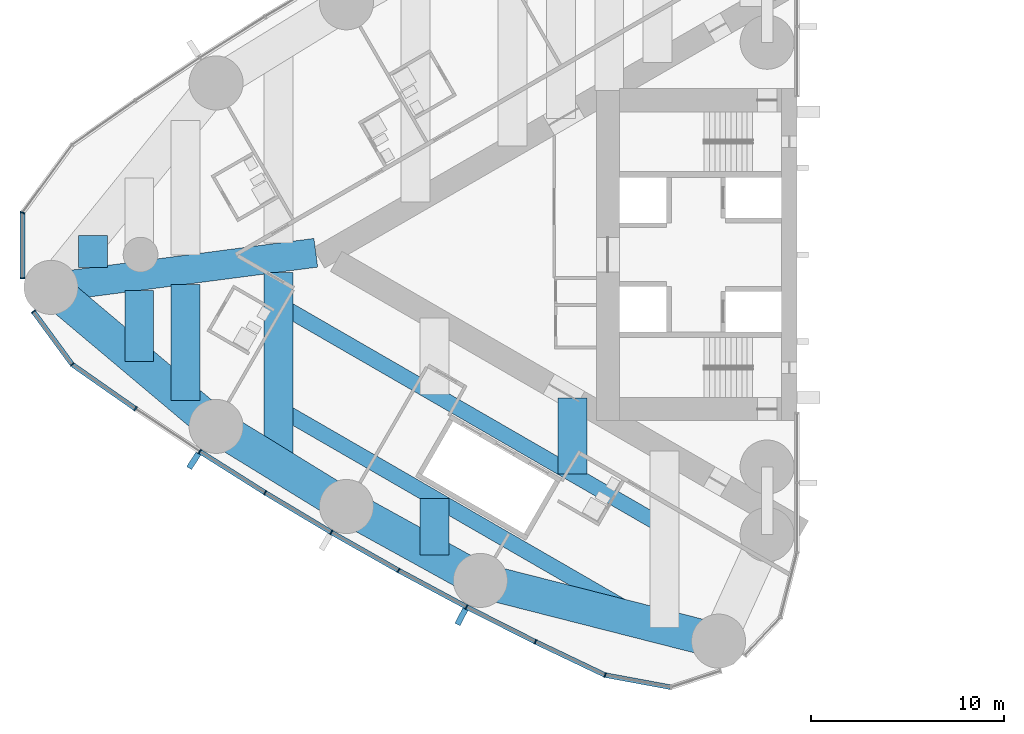
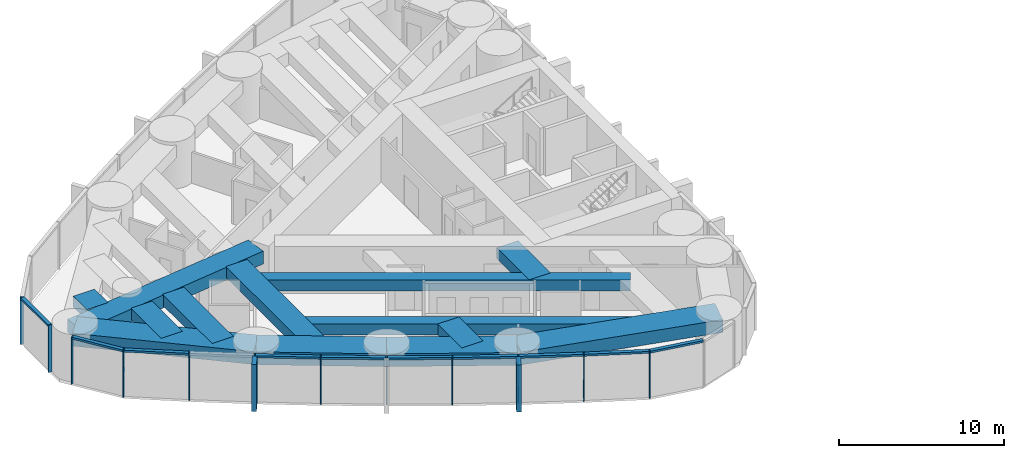
# One storey, part 2 of 19: 24 members, 13 beams, 2 elements without a shape of their own.
"""IFC4 building model written with IfcOpenShell, lengths in metres."""

from ifc_helpers import new_model, si_unit, direction, frame, origin, origin_2d, place, context, subcontext, project, spatial, rectangle, hollow_rectangle, extrude, material, material_profile, profile_set, type_object, element, aggregate, save


model = new_model("IFC4")

# Units and contexts
model_context = context("Model", 3, precision=1e-05, world=origin(), true_north=direction((0.0, 1.0)))
body_context = subcontext(model_context, "Body", "Model", "MODEL_VIEW")
ifc_project = project(units=[si_unit("LENGTHUNIT", "METRE"), si_unit("AREAUNIT", "SQUARE_METRE"), si_unit("VOLUMEUNIT", "CUBIC_METRE"), si_unit("PLANEANGLEUNIT", "RADIAN"), si_unit("MASSUNIT", "GRAM", prefix="KILO")], contexts=[model_context])

# Site, building, storey
site_placement = place(None, origin())
site = spatial("IfcSite", under=ifc_project, at=site_placement, CompositionType="ELEMENT")
building_placement = place(site_placement, origin())
building = spatial("IfcBuilding", under=site, at=building_placement, Name="Lancet Gate Hotel", CompositionType="ELEMENT")
storey_placement = place(building_placement, frame((0.0, 0.0, 177.300048828125)))
storey = spatial("IfcBuildingStorey", under=building, at=storey_placement, Name="L47", CompositionType="ELEMENT", Elevation=177.300048828125)

# Curtain wall, members
ifc_material_1 = material(Name="Aluminium curtain wall", Category="aluminium")
curtain_wall_type = type_object("IfcCurtainWallType", Name="Tower unitised curtain wall", PredefinedType="USERDEFINED", material=ifc_material_1)
curtain_wall_1_placement = place(storey_placement, origin())
curtain_wall_1 = element("IfcCurtainWall", 1, at=curtain_wall_1_placement, inside=storey, type_object=curtain_wall_type, Name="T1 L47 curtain wall 2", ObjectType="UNITISED CURTAIN WALL", PredefinedType="USERDEFINED")
ifc_material_2 = material(Name="Aluminium mullion", Category="aluminium")
ifc_material_profile_1 = material_profile(ifc_material_2, rectangle(XDim=0.06494140625, YDim=0.25, at=origin_2d()), Name="MULLION 65x250")
ifc_profile_set_1 = profile_set([ifc_material_profile_1], Name="Aluminium mullion")
member_type_1 = type_object("IfcMemberType", Name="Aluminium mullion 65x250", PredefinedType="MULLION", material=ifc_profile_set_1)
member_1_placement = place(storey_placement, frame((-67.61572265625, 2.177490234375, 0.0), z_axis=(0.0, 0.0, 1.0), x_axis=(-0.349199411078, -0.937048435943, 0.0)))
member_1 = element("IfcMember", 2, at=member_1_placement, type_object=member_type_1, Name="T1 L47 curtain wall 2 mullion 12", PredefinedType="MULLION", context=body_context, shape_type="SweptSolid", body=[
    extrude(rectangle(XDim=0.06494140625, YDim=0.25, at=origin_2d()), origin(), (0.0, 0.0, 1.0), 3.5),
])
member_2_placement = place(storey_placement, frame((-67.61572265625, -1.220458984375, 0.0), z_axis=(0.0, 0.0, 1.0), x_axis=(0.0, -1.0, 0.0)))
member_2 = element("IfcMember", 3, at=member_2_placement, type_object=member_type_1, Name="T1 L47 curtain wall 2 mullion 13", PredefinedType="MULLION", context=body_context, shape_type="SweptSolid", body=[
    extrude(rectangle(XDim=0.06494140625, YDim=0.25, at=origin_2d()), origin(), (0.0, 0.0, 1.0), 3.5),
])

curtain_wall_2_placement = place(storey_placement, origin())
curtain_wall_2 = element("IfcCurtainWall", 4, at=curtain_wall_2_placement, inside=storey, type_object=curtain_wall_type, Name="T1 L47 curtain wall 3", ObjectType="UNITISED CURTAIN WALL", PredefinedType="USERDEFINED")
member_3_placement = place(storey_placement, frame((-67.05029296875, -2.948486328125, 0.0), z_axis=(0.0, 0.0, 1.0), x_axis=(0.591299785592, -0.806451835858, 0.0)))
member_3 = element("IfcMember", 5, at=member_3_placement, type_object=member_type_1, Name="T1 L47 curtain wall 3 mullion 1", PredefinedType="MULLION", context=body_context, shape_type="SweptSolid", body=[
    extrude(rectangle(XDim=0.06494140625, YDim=0.25, at=origin_2d()), origin(), (0.0, 0.0, 1.0), 3.5),
])
member_4_placement = place(storey_placement, frame((-65.040283203125, -5.68994140625, 0.0), z_axis=(0.0, 0.0, 1.0), x_axis=(0.724381882759, -0.689398932354, 0.0)))
member_4 = element("IfcMember", 6, at=member_4_placement, type_object=member_type_1, Name="T1 L47 curtain wall 3 mullion 2", PredefinedType="MULLION", context=body_context, shape_type="SweptSolid", body=[
    extrude(rectangle(XDim=0.06494140625, YDim=0.25, at=origin_2d()), origin(), (0.0, 0.0, 1.0), 3.5),
])
member_5_placement = place(storey_placement, frame((-61.7626953125, -7.980712890625, 0.0), z_axis=(0.0, 0.0, 1.0), x_axis=(0.826312172542, -0.563212387568, 0.0)))
member_5 = element("IfcMember", 7, at=member_5_placement, type_object=member_type_1, Name="T1 L47 curtain wall 3 mullion 3", PredefinedType="MULLION", context=body_context, shape_type="SweptSolid", body=[
    extrude(rectangle(XDim=0.06494140625, YDim=0.25, at=origin_2d()), origin(), (0.0, 0.0, 1.0), 3.5),
])
member_6_placement = place(storey_placement, frame((-58.43212890625, -10.194091796875, 0.0), z_axis=(0.0, 0.0, 1.0), x_axis=(0.839331119324, -0.54362052218, 0.0)))
member_6 = element("IfcMember", 8, at=member_6_placement, type_object=member_type_1, Name="T1 L47 curtain wall 3 mullion 4", PredefinedType="MULLION", context=body_context, shape_type="SweptSolid", body=[
    extrude(rectangle(XDim=0.06494140625, YDim=0.25, at=origin_2d()), origin(), (0.0, 0.0, 1.0), 3.5),
])
member_7_placement = place(storey_placement, frame((-55.05029296875, -12.328369140625, 0.0), z_axis=(0.0, 0.0, 1.0), x_axis=(0.851885635531, -0.52372785297, 0.0)))
member_7 = element("IfcMember", 9, at=member_7_placement, type_object=member_type_1, Name="T1 L47 curtain wall 3 mullion 5", PredefinedType="MULLION", context=body_context, shape_type="SweptSolid", body=[
    extrude(rectangle(XDim=0.06494140625, YDim=0.25, at=origin_2d()), origin(), (0.0, 0.0, 1.0), 3.5),
])
member_8_placement = place(storey_placement, frame((-51.619384765625, -14.38232421875, 0.0), z_axis=(0.0, 0.0, 1.0), x_axis=(0.863968774311, -0.503545387245, 0.0)))
member_8 = element("IfcMember", 10, at=member_8_placement, type_object=member_type_1, Name="T1 L47 curtain wall 3 mullion 6", PredefinedType="MULLION", context=body_context, shape_type="SweptSolid", body=[
    extrude(rectangle(XDim=0.06494140625, YDim=0.25, at=origin_2d()), origin(), (0.0, 0.0, 1.0), 3.5),
])
member_9_placement = place(storey_placement, frame((-48.140869140625, -16.355224609375, 0.0), z_axis=(0.0, 0.0, 1.0), x_axis=(0.87557384965, -0.483084292654, 0.0)))
member_9 = element("IfcMember", 11, at=member_9_placement, type_object=member_type_1, Name="T1 L47 curtain wall 3 mullion 7", PredefinedType="MULLION", context=body_context, shape_type="SweptSolid", body=[
    extrude(rectangle(XDim=0.06494140625, YDim=0.25, at=origin_2d()), origin(), (0.0, 0.0, 1.0), 3.5),
])
member_10_placement = place(storey_placement, frame((-44.6171875, -18.245849609375, 0.0), z_axis=(0.0, 0.0, 1.0), x_axis=(0.886694440064, -0.462355891019, 0.0)))
member_10 = element("IfcMember", 12, at=member_10_placement, type_object=member_type_1, Name="T1 L47 curtain wall 3 mullion 8", PredefinedType="MULLION", context=body_context, shape_type="SweptSolid", body=[
    extrude(rectangle(XDim=0.06494140625, YDim=0.25, at=origin_2d()), origin(), (0.0, 0.0, 1.0), 3.5),
])
member_11_placement = place(storey_placement, frame((-41.0498046875, -20.052978515625, 0.0), z_axis=(0.0, 0.0, 1.0), x_axis=(0.897324392142, -0.441371652088, 0.0)))
member_11 = element("IfcMember", 13, at=member_11_placement, type_object=member_type_1, Name="T1 L47 curtain wall 3 mullion 9", PredefinedType="MULLION", context=body_context, shape_type="SweptSolid", body=[
    extrude(rectangle(XDim=0.06494140625, YDim=0.25, at=origin_2d()), origin(), (0.0, 0.0, 1.0), 3.5),
])
member_12_placement = place(storey_placement, frame((-37.44091796875, -21.775634765625, 0.0), z_axis=(0.0, 0.0, 1.0), x_axis=(0.948119321052, -0.317914694609, 0.0)))
member_12 = element("IfcMember", 14, at=member_12_placement, type_object=member_type_1, Name="T1 L47 curtain wall 3 mullion 10", PredefinedType="MULLION", context=body_context, shape_type="SweptSolid", body=[
    extrude(rectangle(XDim=0.06494140625, YDim=0.25, at=origin_2d()), origin(), (0.0, 0.0, 1.0), 3.5),
])

# Member
ifc_material_3 = material(Name="Aluminium transom", Category="aluminium")
ifc_material_profile_2 = material_profile(ifc_material_3, rectangle(XDim=0.25, YDim=0.14990234375, at=origin_2d()), Name="TRANSOM 250x150")
ifc_profile_set_2 = profile_set([ifc_material_profile_2], Name="Aluminium transom")
member_type_2 = type_object("IfcMemberType", Name="Aluminium transom 250x150", PredefinedType="USERDEFINED", material=ifc_profile_set_2)
member_13_placement = place(storey_placement, frame((-67.61572265625, 2.14501953125, 3.425048828125), z_axis=(0.0, -1.0, 0.0), x_axis=(1.0, 0.0, 0.0)))
member_13 = element("IfcMember", 15, at=member_13_placement, type_object=member_type_2, Name="T1 L47 curtain wall 2 transom 12", ObjectType="TRANSOM", PredefinedType="USERDEFINED", context=body_context, shape_type="SweptSolid", body=[
    extrude(rectangle(XDim=0.25, YDim=0.14990234375, at=origin_2d()), origin(), (0.0, 0.0, 1.0), 3.3330078125),
])

aggregate(curtain_wall_1, [member_1, member_2, member_13])

member_14_placement = place(storey_placement, frame((-67.031005859375, -2.974853515625, 3.425048828125), z_axis=(0.591306519832, -0.806446898193, 0.0), x_axis=(0.806446898193, 0.591306519832, 0.0)))
member_14 = element("IfcMember", 16, at=member_14_placement, type_object=member_type_2, Name="T1 L47 curtain wall 3 transom 1", ObjectType="TRANSOM", PredefinedType="USERDEFINED", context=body_context, shape_type="SweptSolid", body=[
    extrude(rectangle(XDim=0.25, YDim=0.14990234375, at=origin_2d()), origin(), (0.0, 0.0, 1.0), 3.333984375),
])

member_15_placement = place(storey_placement, frame((-65.013671875, -5.70849609375, 3.425048828125), z_axis=(0.819636985462, -0.572883244704, 0.0), x_axis=(0.572883244704, 0.819636985462, 0.0)))
member_15 = element("IfcMember", 17, at=member_15_placement, type_object=member_type_2, Name="T1 L47 curtain wall 3 transom 2", ObjectType="TRANSOM", PredefinedType="USERDEFINED", context=body_context, shape_type="SweptSolid", body=[
    extrude(rectangle(XDim=0.25, YDim=0.14990234375, at=origin_2d()), origin(), (0.0, 0.0, 1.0), 3.933837890625),
])

member_16_placement = place(storey_placement, frame((-58.40478515625, -10.21142578125, 3.425048828125), z_axis=(0.845671711095, -0.53370343549, 0.0), x_axis=(0.53370343549, 0.845671711095, 0.0)))
member_16 = element("IfcMember", 18, at=member_16_placement, type_object=member_type_2, Name="T1 L47 curtain wall 3 transom 4", ObjectType="TRANSOM", PredefinedType="USERDEFINED", context=body_context, shape_type="SweptSolid", body=[
    extrude(rectangle(XDim=0.25, YDim=0.14990234375, at=origin_2d()), origin(), (0.0, 0.0, 1.0), 3.93408203125),
])

member_17_placement = place(storey_placement, frame((-55.0224609375, -12.344970703125, 3.425048828125), z_axis=(0.857985365092, -0.513674131419, 0.0), x_axis=(0.513674131419, 0.857985365092, 0.0)))
member_17 = element("IfcMember", 19, at=member_17_placement, type_object=member_type_2, Name="T1 L47 curtain wall 3 transom 5", ObjectType="TRANSOM", PredefinedType="USERDEFINED", context=body_context, shape_type="SweptSolid", body=[
    extrude(rectangle(XDim=0.25, YDim=0.14990234375, at=origin_2d()), origin(), (0.0, 0.0, 1.0), 3.933837890625),
])

member_18_placement = place(storey_placement, frame((-51.591064453125, -14.3984375, 3.425048828125), z_axis=(0.869819807367, -0.493369539709, 0.0), x_axis=(0.493369539709, 0.869819807367, 0.0)))
member_18 = element("IfcMember", 20, at=member_18_placement, type_object=member_type_2, Name="T1 L47 curtain wall 3 transom 6", ObjectType="TRANSOM", PredefinedType="USERDEFINED", context=body_context, shape_type="SweptSolid", body=[
    extrude(rectangle(XDim=0.25, YDim=0.14990234375, at=origin_2d()), origin(), (0.0, 0.0, 1.0), 3.93408203125),
])

member_19_placement = place(storey_placement, frame((-48.1123046875, -16.37060546875, 3.425048828125), z_axis=(0.881185491994, -0.472770693571, 0.0), x_axis=(0.472770693571, 0.881185491994, 0.0)))
member_19 = element("IfcMember", 21, at=member_19_placement, type_object=member_type_2, Name="T1 L47 curtain wall 3 transom 7", ObjectType="TRANSOM", PredefinedType="USERDEFINED", context=body_context, shape_type="SweptSolid", body=[
    extrude(rectangle(XDim=0.25, YDim=0.14990234375, at=origin_2d()), origin(), (0.0, 0.0, 1.0), 3.93408203125),
])

member_20_placement = place(storey_placement, frame((-44.588134765625, -18.260498046875, 3.425048828125), z_axis=(0.892081477453, -0.451874581699, 0.0), x_axis=(0.451874581699, 0.892081477453, 0.0)))
member_20 = element("IfcMember", 22, at=member_20_placement, type_object=member_type_2, Name="T1 L47 curtain wall 3 transom 8", ObjectType="TRANSOM", PredefinedType="USERDEFINED", context=body_context, shape_type="SweptSolid", body=[
    extrude(rectangle(XDim=0.25, YDim=0.14990234375, at=origin_2d()), origin(), (0.0, 0.0, 1.0), 3.933837890625),
])

member_21_placement = place(storey_placement, frame((-41.0205078125, -20.06689453125, 3.425048828125), z_axis=(0.902468975385, -0.430754858902, 0.0), x_axis=(0.430754858902, 0.902468975385, 0.0)))
member_21 = element("IfcMember", 23, at=member_21_placement, type_object=member_type_2, Name="T1 L47 curtain wall 3 transom 9", ObjectType="TRANSOM", PredefinedType="USERDEFINED", context=body_context, shape_type="SweptSolid", body=[
    extrude(rectangle(XDim=0.25, YDim=0.14990234375, at=origin_2d()), origin(), (0.0, 0.0, 1.0), 3.93408203125),
])

member_22_placement = place(storey_placement, frame((-37.408935546875, -21.781494140625, 3.425048828125), z_axis=(0.983286757871, -0.182063592724, 0.0), x_axis=(0.182063592724, 0.983286757871, 0.0)))
member_22 = element("IfcMember", 24, at=member_22_placement, type_object=member_type_2, Name="T1 L47 curtain wall 3 transom 10", ObjectType="TRANSOM", PredefinedType="USERDEFINED", context=body_context, shape_type="SweptSolid", body=[
    extrude(rectangle(XDim=0.25, YDim=0.14990234375, at=origin_2d()), origin(), (0.0, 0.0, 1.0), 3.406005859375),
])

# Beams
ifc_material_4 = material(Name="Concrete C50/60", Category="concrete")
ifc_material_profile_3 = material_profile(ifc_material_4, rectangle(XDim=1.800048828125, YDim=0.949951171875, at=origin_2d()), Name="RC 1800x950")
ifc_profile_set_3 = profile_set([ifc_material_profile_3], Name="Concrete C50/60")
beam_type_1 = type_object("IfcBeamType", Name="Edge beam RC 1800x950", PredefinedType="SPANDREL", material=ifc_profile_set_3)
beam_1_placement = place(storey_placement, frame((-66.142578125, -1.6953125, 2.77490234375), z_axis=(0.765120708367, -0.64388687021, 0.0), x_axis=(0.64388687021, 0.765120708367, 0.0)))
element("IfcBeam", 25, at=beam_1_placement, inside=storey, type_object=beam_type_1, Name="T1 edge beam EB1 L47", PredefinedType="SPANDREL", context=body_context, shape_type="SweptSolid", body=[
    extrude(rectangle(XDim=1.800048828125, YDim=0.949951171875, at=origin_2d()), origin(), (0.0, 0.0, 1.0), 11.1787109375),
])
beam_2_placement = place(storey_placement, frame((-57.589599609375, -8.89306640625, 2.77490234375), z_axis=(0.851892008043, -0.523717487423, 0.0), x_axis=(0.523717487423, 0.851892008043, 0.0)))
element("IfcBeam", 26, at=beam_2_placement, inside=storey, type_object=beam_type_1, Name="T1 edge beam EB1 L47", PredefinedType="SPANDREL", context=body_context, shape_type="SweptSolid", body=[
    extrude(rectangle(XDim=1.800048828125, YDim=0.949951171875, at=origin_2d()), origin(), (0.0, 0.0, 1.0), 7.92431640625),
])
beam_3_placement = place(storey_placement, frame((-50.8388671875, -13.043212890625, 2.77490234375), z_axis=(0.875577684027, -0.483077342911, 0.0), x_axis=(0.483077342911, 0.875577684027, 0.0)))
element("IfcBeam", 27, at=beam_3_placement, inside=storey, type_object=beam_type_1, Name="T1 edge beam EB1 L47", PredefinedType="SPANDREL", context=body_context, shape_type="SweptSolid", body=[
    extrude(rectangle(XDim=1.800048828125, YDim=0.949951171875, at=origin_2d()), origin(), (0.0, 0.0, 1.0), 7.924560546875),
])
beam_4_placement = place(storey_placement, frame((-43.900390625, -16.871337890625, 2.77490234375), z_axis=(0.969008414312, -0.247027717052, 0.0), x_axis=(0.247027717052, 0.969008414312, 0.0)))
element("IfcBeam", 28, at=beam_4_placement, inside=storey, type_object=beam_type_1, Name="T1 edge beam EB1 L47", PredefinedType="SPANDREL", context=body_context, shape_type="SweptSolid", body=[
    extrude(rectangle(XDim=1.800048828125, YDim=0.949951171875, at=origin_2d()), origin(), (0.0, 0.0, 1.0), 12.7294921875),
])

# Member
ifc_material_5 = material(Name="Precast concrete C50/60", Category="concrete")
ifc_material_profile_4 = material_profile(ifc_material_5, rectangle(XDim=0.300048828125, YDim=0.89990234375, at=origin_2d()), Name="FIN 300x900")
ifc_profile_set_4 = profile_set([ifc_material_profile_4], Name="Precast concrete C50/60")
member_type_3 = type_object("IfcMemberType", Name="Exposed concrete fin 300x900", PredefinedType="USERDEFINED", material=ifc_profile_set_4)
member_23_placement = place(storey_placement, frame((-58.74462890625, -10.6767578125, 0.0), z_axis=(0.0, 0.0, 1.0), x_axis=(0.839331119324, -0.54362052218, 0.0)))
member_23 = element("IfcMember", 29, at=member_23_placement, type_object=member_type_3, Name="T1 L47 curtain wall 3 fin 4", ObjectType="FIN", PredefinedType="USERDEFINED", context=body_context, shape_type="SweptSolid", body=[
    extrude(rectangle(XDim=0.300048828125, YDim=0.89990234375, at=origin_2d()), origin(), (0.0, 0.0, 1.0), 3.5),
])

member_24_placement = place(storey_placement, frame((-44.883056640625, -18.755615234375, 0.0), z_axis=(0.0, 0.0, 1.0), x_axis=(0.886694440064, -0.462355891019, 0.0)))
member_24 = element("IfcMember", 30, at=member_24_placement, type_object=member_type_3, Name="T1 L47 curtain wall 3 fin 8", ObjectType="FIN", PredefinedType="USERDEFINED", context=body_context, shape_type="SweptSolid", body=[
    extrude(rectangle(XDim=0.300048828125, YDim=0.89990234375, at=origin_2d()), origin(), (0.0, 0.0, 1.0), 3.5),
])

aggregate(curtain_wall_2, [member_3, member_4, member_5, member_6, member_23, member_7, member_8, member_9, member_10, member_24, member_11, member_12, member_14, member_15, member_16, member_17, member_18, member_19, member_20, member_21, member_22])

# Beams
ifc_material_6 = material(Name="Concrete C50/60", Category="concrete")
ifc_material_profile_5 = material_profile(ifc_material_6, rectangle(XDim=1.5, YDim=0.800048828125, at=origin_2d()), Name="RC 1500x800")
ifc_profile_set_5 = profile_set([ifc_material_profile_5], Name="Concrete C50/60")
beam_type_2 = type_object("IfcBeamType", Name="Floor beam RC 1500x800", PredefinedType="BEAM", material=ifc_profile_set_5)
beam_5_placement = place(storey_placement, frame((-54.3681640625, -0.9130859375, 2.849853515625), z_axis=(0.0, -1.0, 0.0), x_axis=(1.0, 0.0, 0.0)))
element("IfcBeam", 31, at=beam_5_placement, inside=storey, type_object=beam_type_2, Name="T1 floor beam F11N L47", PredefinedType="BEAM", context=body_context, shape_type="SweptSolid", body=[
    extrude(rectangle(XDim=1.5, YDim=0.800048828125, at=origin_2d()), origin(), (0.0, 0.0, 1.0), 9.96044921875),
])
beam_6_placement = place(storey_placement, frame((-59.168212890625, -1.54052734375, 2.849853515625), z_axis=(0.0, -1.0, 0.0), x_axis=(1.0, 0.0, 0.0)))
element("IfcBeam", 32, at=beam_6_placement, inside=storey, type_object=beam_type_2, Name="T1 floor beam F13N L47", PredefinedType="BEAM", context=body_context, shape_type="SweptSolid", body=[
    extrude(rectangle(XDim=1.5, YDim=0.800048828125, at=origin_2d()), origin(), (0.0, 0.0, 1.0), 6.02392578125),
])
beam_7_placement = place(storey_placement, frame((-61.568359375, -1.85400390625, 2.849853515625), z_axis=(0.0, -1.0, 0.0), x_axis=(1.0, 0.0, 0.0)))
element("IfcBeam", 33, at=beam_7_placement, inside=storey, type_object=beam_type_2, Name="T1 floor beam F15N L47", PredefinedType="BEAM", context=body_context, shape_type="SweptSolid", body=[
    extrude(rectangle(XDim=1.5, YDim=0.800048828125, at=origin_2d()), origin(), (0.0, 0.0, 1.0), 3.69091796875),
])
beam_8_placement = place(storey_placement, frame((-63.96826171875, 0.996337890625, 2.849853515625), z_axis=(0.0, -1.0, 0.0), x_axis=(1.0, 0.0, 0.0)))
element("IfcBeam", 34, at=beam_8_placement, inside=storey, type_object=beam_type_2, Name="T1 floor beam F16S L47", PredefinedType="BEAM", context=body_context, shape_type="SweptSolid", body=[
    extrude(rectangle(XDim=1.5, YDim=0.800048828125, at=origin_2d()), origin(), (0.0, 0.0, 1.0), 1.6513671875),
])
beam_9_placement = place(storey_placement, frame((-39.122314453125, -7.41650390625, 2.849853515625), z_axis=(0.0, -1.0, 0.0), x_axis=(1.0, 0.0, 0.0)))
element("IfcBeam", 35, at=beam_9_placement, inside=storey, type_object=beam_type_2, Name="T1 floor beam F05NA L47", PredefinedType="BEAM", context=body_context, shape_type="SweptSolid", body=[
    extrude(rectangle(XDim=1.5, YDim=0.800048828125, at=origin_2d()), origin(), (0.0, 0.0, 1.0), 3.945556640625),
])
beam_10_placement = place(storey_placement, frame((-46.27587890625, -12.61962890625, 2.849853515625), z_axis=(0.0, -1.0, 0.0), x_axis=(1.0, 0.0, 0.0)))
element("IfcBeam", 36, at=beam_10_placement, inside=storey, type_object=beam_type_2, Name="T1 floor beam F08NB L47", PredefinedType="BEAM", context=body_context, shape_type="SweptSolid", body=[
    extrude(rectangle(XDim=1.5, YDim=0.800048828125, at=origin_2d()), origin(), (0.0, 0.0, 1.0), 2.941162109375),
])
ifc_material_7 = material(Name="Concrete C50/60", Category="concrete")
ifc_material_profile_6 = material_profile(ifc_material_7, rectangle(XDim=1.5, YDim=0.949951171875, at=origin_2d()), Name="RC 1500x950")
ifc_profile_set_6 = profile_set([ifc_material_profile_6], Name="Concrete C50/60")
beam_type_3 = type_object("IfcBeamType", Name="Radial floor beam RC 1500x950", PredefinedType="BEAM", material=ifc_profile_set_6)
beam_11_placement = place(storey_placement, frame((-66.142578125, -1.6953125, 2.77490234375), z_axis=(0.991571259053, 0.129562487702, 0.0), x_axis=(-0.129562487702, 0.991571259053, 0.0)))
element("IfcBeam", 37, at=beam_11_placement, inside=storey, type_object=beam_type_3, Name="T1 radial beam CA L47", PredefinedType="BEAM", context=body_context, shape_type="SweptSolid", body=[
    extrude(rectangle(XDim=1.5, YDim=0.949951171875, at=origin_2d()), origin(), (0.0, 0.0, 1.0), 13.8349609375),
])
ifc_material_8 = material(Name="Steel S460QL", Category="steel")
ifc_material_profile_7 = material_profile(ifc_material_8, hollow_rectangle(XDim=0.800048828125, YDim=0.800048828125, WallThickness=0.080078125, at=origin_2d()), Name="BOX 800x800x80")
ifc_profile_set_7 = profile_set([ifc_material_profile_7], Name="Steel S460QL")
beam_type_4 = type_object("IfcBeamType", Name="Trimmer beam BOX 800x800x80", PredefinedType="BEAM", material=ifc_profile_set_7)
beam_12_placement = place(storey_placement, frame((-34.353515625, -14.115234375, 2.849853515625), z_axis=(-0.866035353112, 0.499982766863, 0.0), x_axis=(-0.499982766863, -0.866035353112, 0.0)))
element("IfcBeam", 38, at=beam_12_placement, inside=storey, type_object=beam_type_4, Name="T1 trimmer beam TR01N L47", PredefinedType="BEAM", context=body_context, shape_type="SweptSolid", body=[
    extrude(hollow_rectangle(XDim=0.800048828125, YDim=0.800048828125, WallThickness=0.080078125, at=origin_2d()), origin(), (0.0, 0.0, 1.0), 23.110595703125),
])
beam_13_placement = place(storey_placement, frame((-34.966552734375, -19.14892578125, 2.849853515625), z_axis=(-0.866032239169, 0.499988160579, 0.0), x_axis=(-0.499988160579, -0.866032239169, 0.0)))
element("IfcBeam", 39, at=beam_13_placement, inside=storey, type_object=beam_type_4, Name="T1 trimmer beam TR02N L47", PredefinedType="BEAM", context=body_context, shape_type="SweptSolid", body=[
    extrude(hollow_rectangle(XDim=0.800048828125, YDim=0.800048828125, WallThickness=0.080078125, at=origin_2d()), origin(), (0.0, 0.0, 1.0), 22.40283203125),
])

save(model, "model.ifc")
